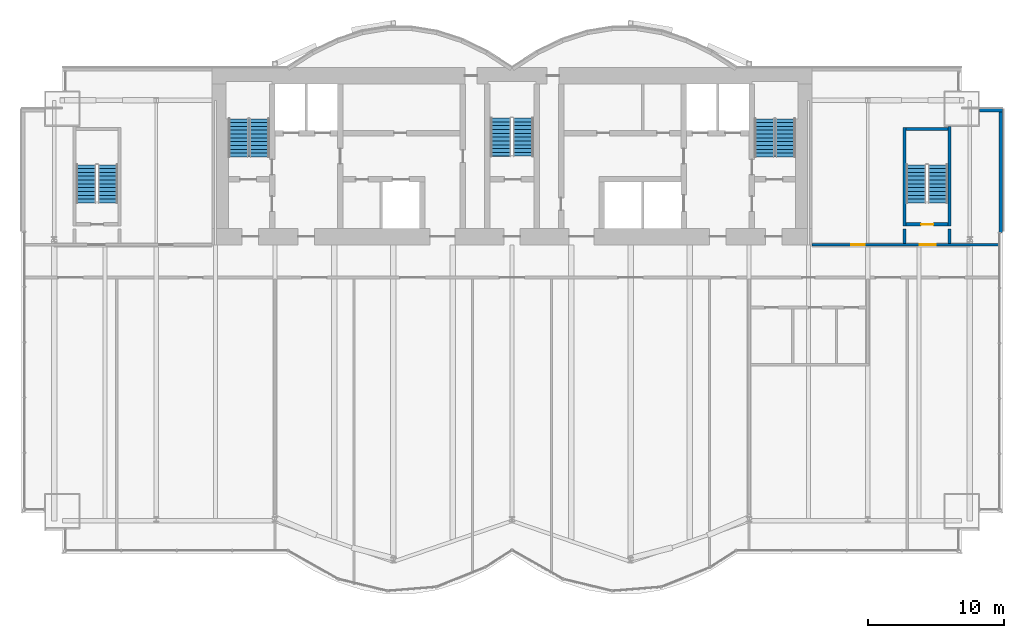
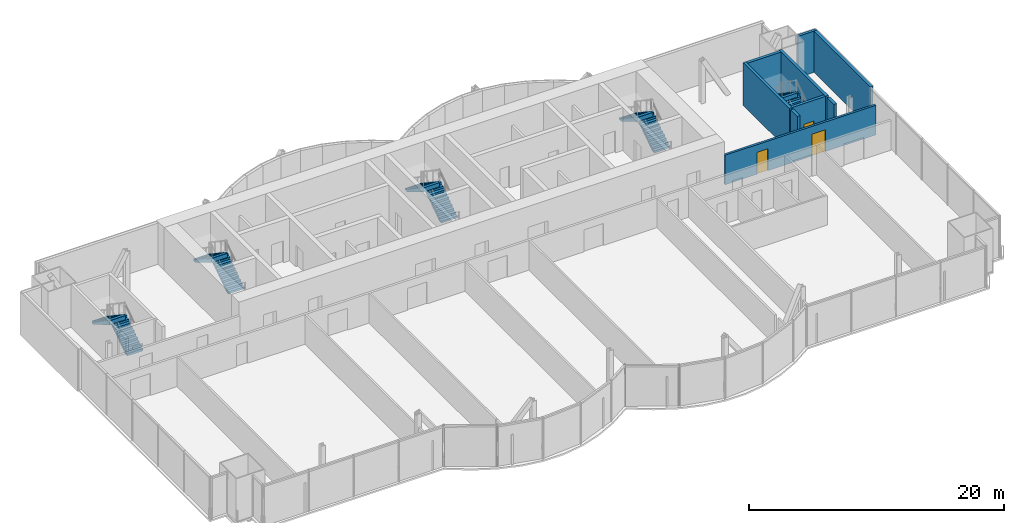
# One storey, part 19 of 22: 10 stair flights, 9 walls, 3 doors, 3 openings, 5 elements without a shape of their own.
"""IFC4 building model written with IfcOpenShell, lengths in metres."""

from ifc_helpers import new_model, si_unit, direction, frame, frame_2d, origin, place, context, subcontext, project, spatial, polyline, rectangle, outline, extrude, material, layer, layer_set, layer_usage, type_object, element, fill, aggregate, save


model = new_model("IFC4")

# Units and contexts
model_context = context("Model", 3, precision=1e-05, world=origin(), true_north=direction((0.0, 1.0)))
body_context = subcontext(model_context, "Body", "Model", "MODEL_VIEW")
ifc_project = project(units=[si_unit("LENGTHUNIT", "METRE"), si_unit("AREAUNIT", "SQUARE_METRE"), si_unit("VOLUMEUNIT", "CUBIC_METRE"), si_unit("PLANEANGLEUNIT", "RADIAN"), si_unit("MASSUNIT", "GRAM", prefix="KILO")], contexts=[model_context])

# Site, building, storey
site_placement = place(None, origin())
site = spatial("IfcSite", under=ifc_project, at=site_placement, CompositionType="ELEMENT")
building_placement = place(site_placement, origin())
building = spatial("IfcBuilding", under=site, at=building_placement, Name="Bicima Exchange Tower", CompositionType="ELEMENT")
storey_placement = place(building_placement, frame((0.0, 0.0, 148.60009765625)))
storey = spatial("IfcBuildingStorey", under=building, at=storey_placement, Name="L32", CompositionType="ELEMENT", Elevation=148.60009765625)

# Wall, openings, doors
ifc_material_1 = material(Name="Gypsum board partition")
ifc_layer_1 = layer(ifc_material_1, 0.199951171875)
ifc_layer_set_1 = layer_set([ifc_layer_1], Name="Gypsum board partition")
wall_type_1 = type_object("IfcWallType", Name="Fire-rated gypsum partition 200 EI60", PredefinedType="PARTITIONING", material=ifc_layer_set_1)
wall_1_placement = place(storey_placement, frame((22.0, -13.0, 0.0), z_axis=(0.0, 0.0, 1.0), x_axis=(1.0, 0.0, 0.0)))
wall_1 = element("IfcWall", 1, at=wall_1_placement, inside=storey, type_object=wall_type_1, Name="partition wall 5", PredefinedType="PARTITIONING", context=body_context, shape_type="SweptSolid", body=[
    extrude(rectangle(XDim=13.679931640625, YDim=0.199951171875, at=frame_2d((6.83984375, 0.0))), origin(), (0.0, 0.0, 1.0), 2.840087890625),
])
opening_1_placement = place(wall_1_placement, frame((7.89990234375, 0.0, 0.0)))
opening_1 = element("IfcOpeningElement", 2, at=opening_1_placement, cuts=wall_1, Name="Opening L32-003", PredefinedType="OPENING", context=body_context, shape_type="SweptSolid", body=[
    extrude(rectangle(XDim=1.199951171875, YDim=2.10009765625, at=frame_2d((0.60009765625, 1.050048828125))), frame((0.0, 0.11181640625, 0.0), z_axis=(0.0, -1.0, 0.0), x_axis=(1.0, 0.0, 0.0)), (0.0, 0.0, 1.0), 0.223876953125),
])
opening_2_placement = place(wall_1_placement, frame((2.89990234375, 0.0, 0.0)))
opening_2 = element("IfcOpeningElement", 3, at=opening_2_placement, cuts=wall_1, Name="Opening L32-006", PredefinedType="OPENING", context=body_context, shape_type="SweptSolid", body=[
    extrude(rectangle(XDim=1.0, YDim=2.10009765625, at=frame_2d((0.5, 1.050048828125))), frame((0.0, 0.11181640625, 0.0), z_axis=(0.0, -1.0, 0.0), x_axis=(1.0, 0.0, 0.0)), (0.0, 0.0, 1.0), 0.223876953125),
])
ifc_material_2 = material(Name="Steel fire door leaf", Category="steel")
door_type_1 = type_object("IfcDoorType", Name="Door 1000 swing FD30S", OperationType="SINGLE_SWING_LEFT", PredefinedType="DOOR", material=ifc_material_2)
door_1_placement = place(opening_2_placement, origin())
door_1 = element("IfcDoor", 4, at=door_1_placement, inside=storey, type_object=door_type_1, Name="Door", OperationType="SINGLE_SWING_RIGHT", OverallHeight=2.10009765625, OverallWidth=1.0, PredefinedType="DOOR", context=body_context, shape_type="SweptSolid", body=[
    extrude(rectangle(XDim=1.0, YDim=2.10009765625, at=frame_2d((0.5, 1.050048828125))), frame((0.0, 0.02490234375, 0.0), z_axis=(0.0, -1.0, 0.0), x_axis=(1.0, 0.0, 0.0)), (0.0, 0.0, 1.0), 0.050048828125),
])
fill(opening_2, door_1)
door_type_2 = type_object("IfcDoorType", Name="Door 1200 swing FD30S", OperationType="SINGLE_SWING_LEFT", PredefinedType="DOOR", material=ifc_material_2)
door_2_placement = place(opening_1_placement, origin())
door_2 = element("IfcDoor", 5, at=door_2_placement, inside=storey, type_object=door_type_2, Name="Door", OperationType="SINGLE_SWING_RIGHT", OverallHeight=2.10009765625, OverallWidth=1.199951171875, PredefinedType="DOOR", context=body_context, shape_type="SweptSolid", body=[
    extrude(rectangle(XDim=1.199951171875, YDim=2.10009765625, at=frame_2d((0.60009765625, 1.050048828125))), frame((0.0, 0.02490234375, 0.0), z_axis=(0.0, -1.0, 0.0), x_axis=(1.0, 0.0, 0.0)), (0.0, 0.0, 1.0), 0.050048828125),
])
fill(opening_1, door_2)

# Walls
ifc_material_3 = material(Name="Concrete C50/60", Category="concrete")
ifc_layer_2 = layer(ifc_material_3, 0.25)
ifc_layer_set_2 = layer_set([ifc_layer_2], Name="Concrete C50/60")
wall_type_2 = type_object("IfcWallType", Name="RC core wall 250 C50/60", PredefinedType="SHEAR", material=ifc_layer_set_2)
for number, where, z_axis, x_axis, name in (
    (6, (28.800048828125, -12.89990234375, 0.0), (0.0, 0.0, 1.0), (0.0, 1.0, 0.0), "stair wall 26"),
    (7, (32.10009765625, -12.89990234375, 0.0), (0.0, 0.0, 1.0), (0.0, 1.0, 0.0), "stair wall 28"),
):
    element("IfcWall", number, at=place(storey_placement, frame(where, z_axis=z_axis, x_axis=x_axis)), inside=storey, type_object=wall_type_2, Name=name, PredefinedType="SHEAR", context=body_context, shape_type="SweptSolid", body=[
        extrude(rectangle(XDim=1.0498046875, YDim=0.25, at=frame_2d((0.52490234375, 0.0))), origin(), (0.0, 0.0, 1.0), 4.099853515625),
    ])
ifc_layer_3 = layer(ifc_material_3, 0.25)
ifc_layer_set_3 = layer_set([ifc_layer_3], Name="Concrete C50/60")
wall_type_3 = type_object("IfcWallType", Name="RC stair enclosure wall 250 C50/60", PredefinedType="SHEAR", material=ifc_layer_set_3)
wall_2_placement = place(storey_placement, frame((28.800048828125, -11.625, 0.0), z_axis=(0.0, 0.0, 1.0), x_axis=(0.0, 1.0, 0.0)))
element("IfcWall", 8, at=wall_2_placement, inside=storey, type_object=wall_type_3, Name="East end exit stair wall W", PredefinedType="SHEAR", context=body_context, shape_type="SweptSolid", body=[
    extrude(rectangle(XDim=7.25, YDim=0.25, at=frame_2d((3.625, 0.0))), origin(), (0.0, 0.0, 1.0), 4.099853515625),
])
wall_3_placement = place(storey_placement, frame((32.10009765625, -11.625, 0.0), z_axis=(0.0, 0.0, 1.0), x_axis=(0.0, 1.0, 0.0)))
element("IfcWall", 9, at=wall_3_placement, inside=storey, type_object=wall_type_3, Name="East end exit stair wall E", PredefinedType="SHEAR", context=body_context, shape_type="SweptSolid", body=[
    extrude(rectangle(XDim=7.324951171875, YDim=0.25, at=frame_2d((3.66259765625, 0.0))), origin(), (0.0, 0.0, 1.0), 4.099853515625),
])

# Wall, opening, door
wall_4_placement = place(storey_placement, frame((28.925048828125, -11.5, 0.0), z_axis=(0.0, 0.0, 1.0), x_axis=(1.0, 0.0, 0.0)))
wall_4 = element("IfcWall", 10, at=wall_4_placement, inside=storey, type_object=wall_type_3, Name="East end exit stair wall S", PredefinedType="SHEAR", context=body_context, shape_type="SweptSolid", body=[
    extrude(rectangle(XDim=3.050048828125, YDim=0.25, at=frame_2d((1.52490234375, 0.0))), origin(), (0.0, 0.0, 1.0), 4.099853515625),
])
opening_3_placement = place(wall_4_placement, frame((1.10009765625, 0.0, 0.0)))
opening_3 = element("IfcOpeningElement", 11, at=opening_3_placement, cuts=wall_4, Name="Opening L32-004", PredefinedType="OPENING", context=body_context, shape_type="SweptSolid", body=[
    extrude(rectangle(XDim=0.89990234375, YDim=2.10009765625, at=frame_2d((0.449951171875, 1.050048828125))), frame((0.0, 0.136962890625, 0.0), z_axis=(0.0, -1.0, 0.0), x_axis=(1.0, 0.0, 0.0)), (0.0, 0.0, 1.0), 0.27392578125),
])
door_type_3 = type_object("IfcDoorType", Name="Door 900 swing FD60S", OperationType="SINGLE_SWING_LEFT", PredefinedType="DOOR", material=ifc_material_2)
door_3_placement = place(opening_3_placement, origin())
door_3 = element("IfcDoor", 12, at=door_3_placement, inside=storey, type_object=door_type_3, Name="Door", OperationType="SINGLE_SWING_LEFT", OverallHeight=2.10009765625, OverallWidth=0.89990234375, PredefinedType="DOOR", context=body_context, shape_type="SweptSolid", body=[
    extrude(rectangle(XDim=0.89990234375, YDim=2.10009765625, at=frame_2d((0.449951171875, 1.050048828125))), frame((0.0, 0.02490234375, 0.0), z_axis=(0.0, -1.0, 0.0), x_axis=(1.0, 0.0, 0.0)), (0.0, 0.0, 1.0), 0.050048828125),
])
fill(opening_3, door_3)

# Walls
wall_5_placement = place(storey_placement, frame((28.925048828125, -4.5, 0.0), z_axis=(0.0, 0.0, 1.0), x_axis=(1.0, 0.0, 0.0)))
element("IfcWall", 13, at=wall_5_placement, inside=storey, type_object=wall_type_3, Name="East end exit stair wall N", PredefinedType="SHEAR", context=body_context, shape_type="SweptSolid", body=[
    extrude(rectangle(XDim=3.050048828125, YDim=0.25, at=frame_2d((1.52490234375, 0.0))), origin(), (0.0, 0.0, 1.0), 4.099853515625),
])
ifc_material_4 = material(Name="Concrete C40/50", Category="concrete")
ifc_layer_4 = layer(ifc_material_4, 0.25)
ifc_layer_set_4 = layer_set([ifc_layer_4], Name="Concrete C40/50")
ifc_layer_usage = layer_usage(ifc_layer_set_4, "AXIS2", "POSITIVE", -0.125)
wall_type_4 = type_object("IfcWallType", Name="Rear backup wall 250", PredefinedType="STANDARD", material=ifc_layer_set_4)
wall_6_placement = place(storey_placement, frame((35.875, -12.090087890625, 0.0), z_axis=(0.0, 0.0, 1.0), x_axis=(0.0, 1.0, 0.0)))
element("IfcWall", 14, at=wall_6_placement, inside=storey, type_object=wall_type_4, material=ifc_layer_usage, Name="Rear backup wall L32 50", PredefinedType="STANDARD", context=body_context, shape_type="SweptSolid", body=[
    extrude(rectangle(XDim=9.090087890625, YDim=0.25, at=frame_2d((4.544921875, 0.0))), origin(), (0.0, 0.0, 1.0), 3.949951171875),
])
wall_7_placement = place(storey_placement, frame((36.0, -3.125, 0.0), z_axis=(0.0, 0.0, 1.0), x_axis=(-1.0, 0.0, 0.0)))
element("IfcWall", 15, at=wall_7_placement, inside=storey, type_object=wall_type_4, material=ifc_layer_usage, Name="Rear backup wall L32 51", PredefinedType="STANDARD", context=body_context, shape_type="SweptSolid", body=[
    extrude(rectangle(XDim=1.699951171875, YDim=0.25, at=frame_2d((0.85009765625, 0.0))), origin(), (0.0, 0.0, 1.0), 3.949951171875),
])

# Stair, stair flights
stair_type_1 = type_object("IfcStairType", Name="Exit stair", PredefinedType="HALF_TURN_STAIR", material=ifc_material_3)
stair_1_placement = place(storey_placement, origin())
stair_1 = element("IfcStair", 16, at=stair_1_placement, inside=storey, type_object=stair_type_1, Name="L32 West exit stair", PredefinedType="HALF_TURN_STAIR")
stair_flight_type_1 = type_object("IfcStairFlightType", Name="Stair flight RC", PredefinedType="STRAIGHT", material=ifc_material_3)
stair_flight_1_placement = place(storey_placement, frame((-18.52490234375, -6.550048828125, 0.0), z_axis=(0.0, 0.0, 1.0), x_axis=(0.0, 1.0, 0.0)))
stair_flight_1 = element("IfcStairFlight", 17, at=stair_flight_1_placement, type_object=stair_flight_type_1, Name="ST-W flight 1", NumberOfRisers=11, NumberOfTreads=10, PredefinedType="STRAIGHT", RiserHeight=0.186363636, TreadLength=0.28, context=body_context, shape_type="SweptSolid", body=[
    extrude(outline(polyline([(0.0, 0.0), (0.0, 0.186279296875), (0.280029296875, 0.186279296875), (0.280029296875, 0.372802734375), (0.56005859375, 0.372802734375), (0.56005859375, 0.55908203125), (0.840087890625, 0.55908203125), (0.840087890625, 0.745361328125), (1.1201171875, 0.745361328125), (1.1201171875, 0.931884765625), (1.39990234375, 0.931884765625), (1.39990234375, 1.1181640625), (1.679931640625, 1.1181640625), (1.679931640625, 1.304443359375), (1.9599609375, 1.304443359375), (1.9599609375, 1.490966796875), (2.239990234375, 1.490966796875), (2.239990234375, 1.67724609375), (2.52001953125, 1.67724609375), (2.52001953125, 1.863525390625), (2.800048828125, 1.863525390625), (2.800048828125, 2.050048828125), (2.800048828125, 1.68359375), (0.2705078125, 0.0), (0.0, 0.0)])), frame((0.0, 0.72509765625, 0.0), z_axis=(0.0, -1.0, 0.0), x_axis=(1.0, 0.0, 0.0)), (0.0, 0.0, 1.0), 1.449951171875),
])
stair_flight_2_placement = place(storey_placement, frame((-20.074951171875, -3.75, 2.0498046875), z_axis=(0.0, 0.0, 1.0), x_axis=(0.0, -1.0, 0.0)))
stair_flight_2 = element("IfcStairFlight", 18, at=stair_flight_2_placement, type_object=stair_flight_type_1, Name="ST-W flight 2", NumberOfRisers=11, NumberOfTreads=10, PredefinedType="STRAIGHT", RiserHeight=0.186363636, TreadLength=0.28, context=body_context, shape_type="SweptSolid", body=[
    extrude(outline(polyline([(0.0, 0.0), (0.0, 0.186279296875), (0.280029296875, 0.186279296875), (0.280029296875, 0.372802734375), (0.56005859375, 0.372802734375), (0.56005859375, 0.55908203125), (0.840087890625, 0.55908203125), (0.840087890625, 0.745361328125), (1.1201171875, 0.745361328125), (1.1201171875, 0.931884765625), (1.39990234375, 0.931884765625), (1.39990234375, 1.1181640625), (1.679931640625, 1.1181640625), (1.679931640625, 1.304443359375), (1.9599609375, 1.304443359375), (1.9599609375, 1.490966796875), (2.239990234375, 1.490966796875), (2.239990234375, 1.67724609375), (2.52001953125, 1.67724609375), (2.52001953125, 1.863525390625), (2.800048828125, 1.863525390625), (2.800048828125, 1.904052734375), (2.81494140625, 1.904052734375), (2.81494140625, 1.507080078125), (0.2705078125, 0.0), (0.0, 0.0)])), frame((0.0, 0.72509765625, 0.0), z_axis=(0.0, -1.0, 0.0), x_axis=(1.0, 0.0, 0.0)), (0.0, 0.0, 1.0), 1.449951171875),
])
aggregate(stair_1, [stair_flight_1, stair_flight_2])

stair_2_placement = place(storey_placement, origin())
stair_2 = element("IfcStair", 19, at=stair_2_placement, inside=storey, type_object=stair_type_1, Name="L32 East exit stair", PredefinedType="HALF_TURN_STAIR")
stair_flight_3_placement = place(storey_placement, frame((20.074951171875, -6.550048828125, 0.0), z_axis=(0.0, 0.0, 1.0), x_axis=(0.0, 1.0, 0.0)))
stair_flight_3 = element("IfcStairFlight", 20, at=stair_flight_3_placement, type_object=stair_flight_type_1, Name="ST-E flight 1", NumberOfRisers=11, NumberOfTreads=10, PredefinedType="STRAIGHT", RiserHeight=0.186363636, TreadLength=0.28, context=body_context, shape_type="SweptSolid", body=[
    extrude(outline(polyline([(0.0, 0.0), (0.0, 0.186279296875), (0.280029296875, 0.186279296875), (0.280029296875, 0.372802734375), (0.56005859375, 0.372802734375), (0.56005859375, 0.55908203125), (0.840087890625, 0.55908203125), (0.840087890625, 0.745361328125), (1.1201171875, 0.745361328125), (1.1201171875, 0.931884765625), (1.39990234375, 0.931884765625), (1.39990234375, 1.1181640625), (1.679931640625, 1.1181640625), (1.679931640625, 1.304443359375), (1.9599609375, 1.304443359375), (1.9599609375, 1.490966796875), (2.239990234375, 1.490966796875), (2.239990234375, 1.67724609375), (2.52001953125, 1.67724609375), (2.52001953125, 1.863525390625), (2.800048828125, 1.863525390625), (2.800048828125, 2.050048828125), (2.800048828125, 1.68359375), (0.2705078125, 0.0), (0.0, 0.0)])), frame((0.0, 0.72509765625, 0.0), z_axis=(0.0, -1.0, 0.0), x_axis=(1.0, 0.0, 0.0)), (0.0, 0.0, 1.0), 1.449951171875),
])
stair_flight_4_placement = place(storey_placement, frame((18.52490234375, -3.75, 2.0498046875), z_axis=(0.0, 0.0, 1.0), x_axis=(0.0, -1.0, 0.0)))
stair_flight_4 = element("IfcStairFlight", 21, at=stair_flight_4_placement, type_object=stair_flight_type_1, Name="ST-E flight 2", NumberOfRisers=11, NumberOfTreads=10, PredefinedType="STRAIGHT", RiserHeight=0.186363636, TreadLength=0.28, context=body_context, shape_type="SweptSolid", body=[
    extrude(outline(polyline([(0.0, 0.0), (0.0, 0.186279296875), (0.280029296875, 0.186279296875), (0.280029296875, 0.372802734375), (0.56005859375, 0.372802734375), (0.56005859375, 0.55908203125), (0.840087890625, 0.55908203125), (0.840087890625, 0.745361328125), (1.1201171875, 0.745361328125), (1.1201171875, 0.931884765625), (1.39990234375, 0.931884765625), (1.39990234375, 1.1181640625), (1.679931640625, 1.1181640625), (1.679931640625, 1.304443359375), (1.9599609375, 1.304443359375), (1.9599609375, 1.490966796875), (2.239990234375, 1.490966796875), (2.239990234375, 1.67724609375), (2.52001953125, 1.67724609375), (2.52001953125, 1.863525390625), (2.800048828125, 1.863525390625), (2.800048828125, 1.904052734375), (2.81494140625, 1.904052734375), (2.81494140625, 1.507080078125), (0.2705078125, 0.0), (0.0, 0.0)])), frame((0.0, 0.72509765625, 0.0), z_axis=(0.0, -1.0, 0.0), x_axis=(1.0, 0.0, 0.0)), (0.0, 0.0, 1.0), 1.449951171875),
])
aggregate(stair_2, [stair_flight_3, stair_flight_4])

stair_3_placement = place(storey_placement, origin())
stair_3 = element("IfcStair", 22, at=stair_3_placement, inside=storey, type_object=stair_type_1, Name="L32 West end exit stair", PredefinedType="HALF_TURN_STAIR")
stair_flight_5_placement = place(storey_placement, frame((-29.64990234375, -9.925048828125, 0.0), z_axis=(0.0, 0.0, 1.0), x_axis=(0.0, 1.0, 0.0)))
stair_flight_5 = element("IfcStairFlight", 23, at=stair_flight_5_placement, type_object=stair_flight_type_1, Name="ST-WW flight 1", NumberOfRisers=11, NumberOfTreads=10, PredefinedType="STRAIGHT", RiserHeight=0.186363636, TreadLength=0.28, context=body_context, shape_type="SweptSolid", body=[
    extrude(outline(polyline([(0.0, 0.0), (0.0, 0.186279296875), (0.280029296875, 0.186279296875), (0.280029296875, 0.372802734375), (0.56005859375, 0.372802734375), (0.56005859375, 0.55908203125), (0.840087890625, 0.55908203125), (0.840087890625, 0.745361328125), (1.1201171875, 0.745361328125), (1.1201171875, 0.931884765625), (1.39990234375, 0.931884765625), (1.39990234375, 1.1181640625), (1.679931640625, 1.1181640625), (1.679931640625, 1.304443359375), (1.9599609375, 1.304443359375), (1.9599609375, 1.490966796875), (2.239990234375, 1.490966796875), (2.239990234375, 1.67724609375), (2.52001953125, 1.67724609375), (2.52001953125, 1.863525390625), (2.800048828125, 1.863525390625), (2.800048828125, 2.050048828125), (2.800048828125, 1.68359375), (0.2705078125, 0.0), (0.0, 0.0)])), frame((0.0, 0.72509765625, 0.0), z_axis=(0.0, -1.0, 0.0), x_axis=(1.0, 0.0, 0.0)), (0.0, 0.0, 1.0), 1.449951171875),
])
stair_flight_6_placement = place(storey_placement, frame((-31.25, -7.125, 2.0498046875), z_axis=(0.0, 0.0, 1.0), x_axis=(0.0, -1.0, 0.0)))
stair_flight_6 = element("IfcStairFlight", 24, at=stair_flight_6_placement, type_object=stair_flight_type_1, Name="ST-WW flight 2", NumberOfRisers=11, NumberOfTreads=10, PredefinedType="STRAIGHT", RiserHeight=0.186363636, TreadLength=0.28, context=body_context, shape_type="SweptSolid", body=[
    extrude(outline(polyline([(0.0, 0.0), (0.0, 0.186279296875), (0.280029296875, 0.186279296875), (0.280029296875, 0.372802734375), (0.56005859375, 0.372802734375), (0.56005859375, 0.55908203125), (0.840087890625, 0.55908203125), (0.840087890625, 0.745361328125), (1.1201171875, 0.745361328125), (1.1201171875, 0.931884765625), (1.39990234375, 0.931884765625), (1.39990234375, 1.1181640625), (1.679931640625, 1.1181640625), (1.679931640625, 1.304443359375), (1.9599609375, 1.304443359375), (1.9599609375, 1.490966796875), (2.239990234375, 1.490966796875), (2.239990234375, 1.67724609375), (2.52001953125, 1.67724609375), (2.52001953125, 1.863525390625), (2.800048828125, 1.863525390625), (2.800048828125, 1.904052734375), (2.81494140625, 1.904052734375), (2.81494140625, 1.507080078125), (0.2705078125, 0.0), (0.0, 0.0)])), frame((0.0, 0.72509765625, 0.0), z_axis=(0.0, -1.0, 0.0), x_axis=(1.0, 0.0, 0.0)), (0.0, 0.0, 1.0), 1.449951171875),
])
aggregate(stair_3, [stair_flight_5, stair_flight_6])

stair_4_placement = place(storey_placement, origin())
stair_4 = element("IfcStair", 25, at=stair_4_placement, inside=storey, type_object=stair_type_1, Name="L32 East end exit stair", PredefinedType="HALF_TURN_STAIR")
stair_flight_7_placement = place(storey_placement, frame((31.25, -9.925048828125, 0.0), z_axis=(0.0, 0.0, 1.0), x_axis=(0.0, 1.0, 0.0)))
stair_flight_7 = element("IfcStairFlight", 26, at=stair_flight_7_placement, type_object=stair_flight_type_1, Name="ST-EE flight 1", NumberOfRisers=11, NumberOfTreads=10, PredefinedType="STRAIGHT", RiserHeight=0.186363636, TreadLength=0.28, context=body_context, shape_type="SweptSolid", body=[
    extrude(outline(polyline([(0.0, 0.0), (0.0, 0.186279296875), (0.280029296875, 0.186279296875), (0.280029296875, 0.372802734375), (0.56005859375, 0.372802734375), (0.56005859375, 0.55908203125), (0.840087890625, 0.55908203125), (0.840087890625, 0.745361328125), (1.1201171875, 0.745361328125), (1.1201171875, 0.931884765625), (1.39990234375, 0.931884765625), (1.39990234375, 1.1181640625), (1.679931640625, 1.1181640625), (1.679931640625, 1.304443359375), (1.9599609375, 1.304443359375), (1.9599609375, 1.490966796875), (2.239990234375, 1.490966796875), (2.239990234375, 1.67724609375), (2.52001953125, 1.67724609375), (2.52001953125, 1.863525390625), (2.800048828125, 1.863525390625), (2.800048828125, 2.050048828125), (2.800048828125, 1.68359375), (0.2705078125, 0.0), (0.0, 0.0)])), frame((0.0, 0.72509765625, 0.0), z_axis=(0.0, -1.0, 0.0), x_axis=(1.0, 0.0, 0.0)), (0.0, 0.0, 1.0), 1.449951171875),
])
stair_flight_8_placement = place(storey_placement, frame((29.64990234375, -7.125, 2.0498046875), z_axis=(0.0, 0.0, 1.0), x_axis=(0.0, -1.0, 0.0)))
stair_flight_8 = element("IfcStairFlight", 27, at=stair_flight_8_placement, type_object=stair_flight_type_1, Name="ST-EE flight 2", NumberOfRisers=11, NumberOfTreads=10, PredefinedType="STRAIGHT", RiserHeight=0.186363636, TreadLength=0.28, context=body_context, shape_type="SweptSolid", body=[
    extrude(outline(polyline([(0.0, 0.0), (0.0, 0.186279296875), (0.280029296875, 0.186279296875), (0.280029296875, 0.372802734375), (0.56005859375, 0.372802734375), (0.56005859375, 0.55908203125), (0.840087890625, 0.55908203125), (0.840087890625, 0.745361328125), (1.1201171875, 0.745361328125), (1.1201171875, 0.931884765625), (1.39990234375, 0.931884765625), (1.39990234375, 1.1181640625), (1.679931640625, 1.1181640625), (1.679931640625, 1.304443359375), (1.9599609375, 1.304443359375), (1.9599609375, 1.490966796875), (2.239990234375, 1.490966796875), (2.239990234375, 1.67724609375), (2.52001953125, 1.67724609375), (2.52001953125, 1.863525390625), (2.800048828125, 1.863525390625), (2.800048828125, 1.904052734375), (2.81494140625, 1.904052734375), (2.81494140625, 1.507080078125), (0.2705078125, 0.0), (0.0, 0.0)])), frame((0.0, 0.72509765625, 0.0), z_axis=(0.0, -1.0, 0.0), x_axis=(1.0, 0.0, 0.0)), (0.0, 0.0, 1.0), 1.449951171875),
])
aggregate(stair_4, [stair_flight_7, stair_flight_8])

stair_type_2 = type_object("IfcStairType", Name="Exit stair 1500", PredefinedType="HALF_TURN_STAIR", material=ifc_material_3)
stair_5_placement = place(storey_placement, origin())
stair_5 = element("IfcStair", 28, at=stair_5_placement, inside=storey, type_object=stair_type_2, Name="L32 Central exit stair", PredefinedType="HALF_TURN_STAIR")
stair_flight_type_2 = type_object("IfcStairFlightType", Name="Stair flight RC 1500", PredefinedType="STRAIGHT", material=ifc_material_3)
stair_flight_9_placement = place(storey_placement, frame((0.824951171875, -6.5, 0.0), z_axis=(0.0, 0.0, 1.0), x_axis=(0.0, 1.0, 0.0)))
stair_flight_9 = element("IfcStairFlight", 29, at=stair_flight_9_placement, type_object=stair_flight_type_2, Name="ST-C flight 1", NumberOfRisers=11, NumberOfTreads=10, PredefinedType="STRAIGHT", RiserHeight=0.186363636, TreadLength=0.28, context=body_context, shape_type="SweptSolid", body=[
    extrude(outline(polyline([(0.0, 0.0), (0.0, 0.186279296875), (0.280029296875, 0.186279296875), (0.280029296875, 0.372802734375), (0.56005859375, 0.372802734375), (0.56005859375, 0.55908203125), (0.840087890625, 0.55908203125), (0.840087890625, 0.745361328125), (1.1201171875, 0.745361328125), (1.1201171875, 0.931884765625), (1.39990234375, 0.931884765625), (1.39990234375, 1.1181640625), (1.679931640625, 1.1181640625), (1.679931640625, 1.304443359375), (1.9599609375, 1.304443359375), (1.9599609375, 1.490966796875), (2.239990234375, 1.490966796875), (2.239990234375, 1.67724609375), (2.52001953125, 1.67724609375), (2.52001953125, 1.863525390625), (2.800048828125, 1.863525390625), (2.800048828125, 2.050048828125), (2.800048828125, 1.68359375), (0.2705078125, 0.0), (0.0, 0.0)])), frame((0.0, 0.75, 0.0), z_axis=(0.0, -1.0, 0.0), x_axis=(1.0, 0.0, 0.0)), (0.0, 0.0, 1.0), 1.5),
])
stair_flight_10_placement = place(storey_placement, frame((-0.824951171875, -3.699951171875, 2.0498046875), z_axis=(0.0, 0.0, 1.0), x_axis=(0.0, -1.0, 0.0)))
stair_flight_10 = element("IfcStairFlight", 30, at=stair_flight_10_placement, type_object=stair_flight_type_2, Name="ST-C flight 2", NumberOfRisers=11, NumberOfTreads=10, PredefinedType="STRAIGHT", RiserHeight=0.186363636, TreadLength=0.28, context=body_context, shape_type="SweptSolid", body=[
    extrude(outline(polyline([(0.0, 0.0), (0.0, 0.186279296875), (0.280029296875, 0.186279296875), (0.280029296875, 0.372802734375), (0.56005859375, 0.372802734375), (0.56005859375, 0.55908203125), (0.840087890625, 0.55908203125), (0.840087890625, 0.745361328125), (1.1201171875, 0.745361328125), (1.1201171875, 0.931884765625), (1.39990234375, 0.931884765625), (1.39990234375, 1.1181640625), (1.679931640625, 1.1181640625), (1.679931640625, 1.304443359375), (1.9599609375, 1.304443359375), (1.9599609375, 1.490966796875), (2.239990234375, 1.490966796875), (2.239990234375, 1.67724609375), (2.52001953125, 1.67724609375), (2.52001953125, 1.863525390625), (2.800048828125, 1.863525390625), (2.800048828125, 1.904052734375), (2.81494140625, 1.904052734375), (2.81494140625, 1.507080078125), (0.2705078125, 0.0), (0.0, 0.0)])), frame((0.0, 0.75, 0.0), z_axis=(0.0, -1.0, 0.0), x_axis=(1.0, 0.0, 0.0)), (0.0, 0.0, 1.0), 1.5),
])
aggregate(stair_5, [stair_flight_9, stair_flight_10])

save(model, "model.ifc")
